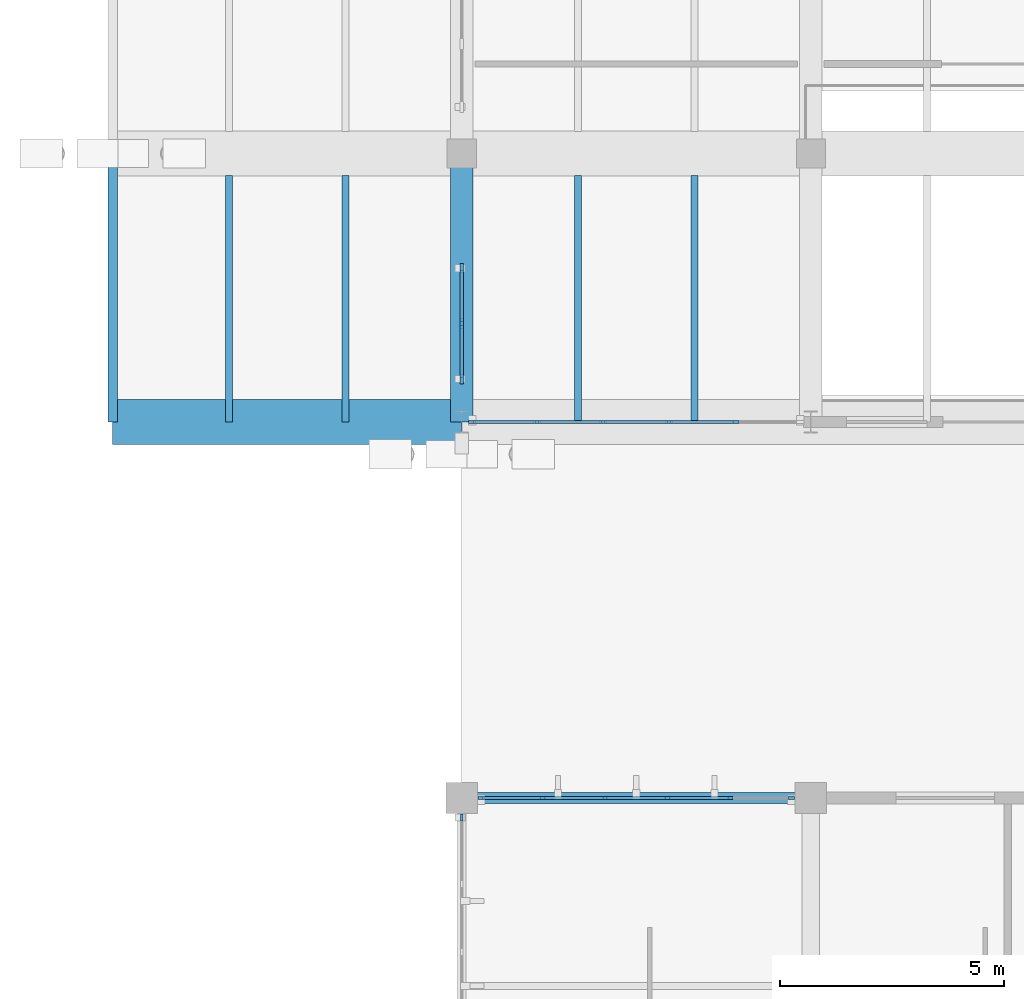
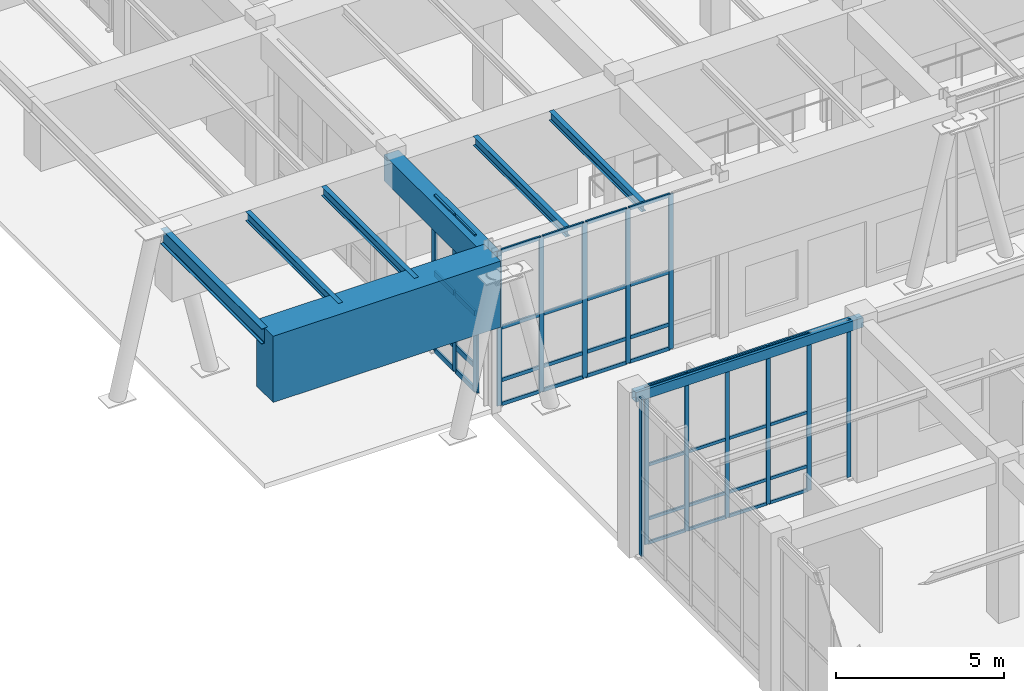
# One storey, part 19 of 110: 55 members, 8 beams, 4 elements without a shape of their own.
"""IFC4 building model written with IfcOpenShell, lengths in metres."""

from ifc_helpers import new_model, si_unit, direction, frame, origin, origin_2d, place, context, subcontext, project, spatial, rectangle, hollow_rectangle, i_section, extrude, material, material_profile, profile_set, type_object, element, aggregate, save


model = new_model("IFC4")

# Units and contexts
model_context = context("Model", 3, precision=1e-05, world=origin(), true_north=direction((0.0, 1.0)))
body_context = subcontext(model_context, "Body", "Model", "MODEL_VIEW")
ifc_project = project(units=[si_unit("LENGTHUNIT", "METRE"), si_unit("AREAUNIT", "SQUARE_METRE"), si_unit("VOLUMEUNIT", "CUBIC_METRE"), si_unit("PLANEANGLEUNIT", "RADIAN"), si_unit("MASSUNIT", "GRAM", prefix="KILO")], contexts=[model_context])

# Site, building, storey
site_placement = place(None, origin())
site = spatial("IfcSite", under=ifc_project, at=site_placement, CompositionType="ELEMENT")
building_placement = place(site_placement, origin())
building = spatial("IfcBuilding", under=site, at=building_placement, Name="Tizgana Railside Sports Hall", CompositionType="ELEMENT")
storey_placement = place(building_placement, origin())
storey = spatial("IfcBuildingStorey", under=building, at=storey_placement, Name="L00", CompositionType="ELEMENT", Elevation=0.0)

# Beam
ifc_material_1 = material(Name="Concrete C40/50", Category="concrete")
ifc_material_profile_1 = material_profile(ifc_material_1, rectangle(XDim=0.5, YDim=0.949951171875, at=origin_2d()), Name="RCB 500x950")
ifc_profile_set_1 = profile_set([ifc_material_profile_1], Name="Concrete C40/50")
beam_type_1 = type_object("IfcBeamType", Name="Concrete Beam RCB 500x950", PredefinedType="BEAM", material=ifc_profile_set_1)
beam_1_placement = place(storey_placement, frame((7.800048828125, 40.800048828125, 5.180908203125), z_axis=(0.0, 1.0, 0.0), x_axis=(-1.0, 0.0, 0.0)))
element("IfcBeam", 1, at=beam_1_placement, inside=storey, type_object=beam_type_1, Name="L00 BEM-0138", PredefinedType="BEAM", context=body_context, shape_type="SweptSolid", body=[
    extrude(rectangle(XDim=0.5, YDim=0.949951171875, at=origin_2d()), origin(), (0.0, 0.0, 1.0), 6.0),
])

# Curtain wall, members
ifc_material_2 = material(Name="Anodised aluminium and glass", Category="aluminium")
curtain_wall_type_1 = type_object("IfcCurtainWallType", Name="Unitised Curtain Wall WestHall 1560", PredefinedType="NOTDEFINED", material=ifc_material_2)
curtain_wall_1_placement = place(storey_placement, origin())
curtain_wall_1 = element("IfcCurtainWall", 2, at=curtain_wall_1_placement, inside=storey, type_object=curtain_wall_type_1, Name="L00 Curtain Wall CW-0078", PredefinedType="NOTDEFINED")
ifc_material_3 = material(Name="Anodised aluminium", Category="aluminium")
ifc_material_profile_2 = material_profile(ifc_material_3, rectangle(XDim=0.06005859375, YDim=0.139892578125, at=origin_2d()), Name="Mullion 60x140")
ifc_profile_set_2 = profile_set([ifc_material_profile_2], Name="Anodised aluminium")
member_type_1 = type_object("IfcMemberType", Name="Mullion 60x140", PredefinedType="MULLION", material=ifc_profile_set_2)
member_1_placement = place(storey_placement, frame((8.235107421875, 32.39990234375, 0.044921875), z_axis=(0.0, 0.0, 1.0), x_axis=(0.0, 1.0, 0.0)))
member_1 = element("IfcMember", 3, at=member_1_placement, type_object=member_type_1, Name="CW-07 mullion 1", PredefinedType="MULLION", context=body_context, shape_type="SweptSolid", body=[
    extrude(rectangle(XDim=0.06005859375, YDim=0.139892578125, at=origin_2d()), origin(), (0.0, 0.0, 1.0), 5.705078125),
])
member_2_placement = place(storey_placement, frame((9.60302734375, 32.39990234375, 0.044921875), z_axis=(0.0, 0.0, 1.0), x_axis=(0.0, 1.0, 0.0)))
member_2 = element("IfcMember", 4, at=member_2_placement, type_object=member_type_1, Name="CW-07 mullion 2", PredefinedType="MULLION", context=body_context, shape_type="SweptSolid", body=[
    extrude(rectangle(XDim=0.06005859375, YDim=0.139892578125, at=origin_2d()), origin(), (0.0, 0.0, 1.0), 5.705078125),
])
member_3_placement = place(storey_placement, frame((11.0009765625, 32.39990234375, 0.044921875), z_axis=(0.0, 0.0, 1.0), x_axis=(0.0, 1.0, 0.0)))
member_3 = element("IfcMember", 5, at=member_3_placement, type_object=member_type_1, Name="CW-07 mullion 3", PredefinedType="MULLION", context=body_context, shape_type="SweptSolid", body=[
    extrude(rectangle(XDim=0.06005859375, YDim=0.139892578125, at=origin_2d()), origin(), (0.0, 0.0, 1.0), 5.705078125),
])
member_4_placement = place(storey_placement, frame((12.39892578125, 32.39990234375, 0.044921875), z_axis=(0.0, 0.0, 1.0), x_axis=(0.0, 1.0, 0.0)))
member_4 = element("IfcMember", 6, at=member_4_placement, type_object=member_type_1, Name="CW-07 mullion 4", PredefinedType="MULLION", context=body_context, shape_type="SweptSolid", body=[
    extrude(rectangle(XDim=0.06005859375, YDim=0.139892578125, at=origin_2d()), origin(), (0.0, 0.0, 1.0), 5.705078125),
])
member_5_placement = place(storey_placement, frame((13.797119140625, 32.39990234375, 0.044921875), z_axis=(0.0, 0.0, 1.0), x_axis=(0.0, 1.0, 0.0)))
member_5 = element("IfcMember", 7, at=member_5_placement, type_object=member_type_1, Name="CW-07 mullion 5", PredefinedType="MULLION", context=body_context, shape_type="SweptSolid", body=[
    extrude(rectangle(XDim=0.06005859375, YDim=0.139892578125, at=origin_2d()), origin(), (0.0, 0.0, 1.0), 5.705078125),
])
member_6_placement = place(storey_placement, frame((15.1650390625, 32.39990234375, 0.044921875), z_axis=(0.0, 0.0, 1.0), x_axis=(0.0, 1.0, 0.0)))
member_6 = element("IfcMember", 8, at=member_6_placement, type_object=member_type_1, Name="CW-07 mullion 6", PredefinedType="MULLION", context=body_context, shape_type="SweptSolid", body=[
    extrude(rectangle(XDim=0.06005859375, YDim=0.139892578125, at=origin_2d()), origin(), (0.0, 0.0, 1.0), 5.705078125),
])

curtain_wall_type_2 = type_object("IfcCurtainWallType", Name="Unitised Curtain Wall Foyer 1300", PredefinedType="NOTDEFINED", material=ifc_material_2)
curtain_wall_2_placement = place(storey_placement, origin())
curtain_wall_2 = element("IfcCurtainWall", 9, at=curtain_wall_2_placement, inside=storey, type_object=curtain_wall_type_2, Name="L00 Curtain Wall CW-0001", PredefinedType="NOTDEFINED")
ifc_material_profile_3 = material_profile(ifc_material_3, rectangle(XDim=0.06005859375, YDim=0.159912109375, at=origin_2d()), Name="Mullion 60x160")
ifc_profile_set_3 = profile_set([ifc_material_profile_3], Name="Anodised aluminium")
member_type_2 = type_object("IfcMemberType", Name="Mullion 60x160", PredefinedType="MULLION", material=ifc_profile_set_3)
member_7_placement = place(storey_placement, frame((13.9169921875, 40.800048828125, 0.044921875), z_axis=(0.0, 0.0, 1.0), x_axis=(0.0, -1.0, 0.0)))
member_7 = element("IfcMember", 10, at=member_7_placement, type_object=member_type_2, Name="CW-02 mullion 2", PredefinedType="MULLION", context=body_context, shape_type="SweptSolid", body=[
    extrude(rectangle(XDim=0.06005859375, YDim=0.159912109375, at=origin_2d()), origin(), (0.0, 0.0, 1.0), 5.60498046875),
])
member_8_placement = place(storey_placement, frame((12.43896484375, 40.800048828125, 0.044921875), z_axis=(0.0, 0.0, 1.0), x_axis=(0.0, -1.0, 0.0)))
member_8 = element("IfcMember", 11, at=member_8_placement, type_object=member_type_2, Name="CW-02 mullion 3", PredefinedType="MULLION", context=body_context, shape_type="SweptSolid", body=[
    extrude(rectangle(XDim=0.06005859375, YDim=0.159912109375, at=origin_2d()), origin(), (0.0, 0.0, 1.0), 5.60498046875),
])
member_9_placement = place(storey_placement, frame((10.9609375, 40.800048828125, 0.044921875), z_axis=(0.0, 0.0, 1.0), x_axis=(0.0, -1.0, 0.0)))
member_9 = element("IfcMember", 12, at=member_9_placement, type_object=member_type_2, Name="CW-02 mullion 4", PredefinedType="MULLION", context=body_context, shape_type="SweptSolid", body=[
    extrude(rectangle(XDim=0.06005859375, YDim=0.159912109375, at=origin_2d()), origin(), (0.0, 0.0, 1.0), 5.60498046875),
])
member_10_placement = place(storey_placement, frame((9.48291015625, 40.800048828125, 0.044921875), z_axis=(0.0, 0.0, 1.0), x_axis=(0.0, -1.0, 0.0)))
member_10 = element("IfcMember", 13, at=member_10_placement, type_object=member_type_2, Name="CW-02 mullion 5", PredefinedType="MULLION", context=body_context, shape_type="SweptSolid", body=[
    extrude(rectangle(XDim=0.06005859375, YDim=0.159912109375, at=origin_2d()), origin(), (0.0, 0.0, 1.0), 5.60498046875),
])
member_11_placement = place(storey_placement, frame((8.034912109375, 40.800048828125, 0.044921875), z_axis=(0.0, 0.0, 1.0), x_axis=(0.0, -1.0, 0.0)))
member_11 = element("IfcMember", 14, at=member_11_placement, type_object=member_type_2, Name="CW-02 mullion 6", PredefinedType="MULLION", context=body_context, shape_type="SweptSolid", body=[
    extrude(rectangle(XDim=0.06005859375, YDim=0.159912109375, at=origin_2d()), origin(), (0.0, 0.0, 1.0), 5.60498046875),
])

# Curtain wall, member
curtain_wall_type_3 = type_object("IfcCurtainWallType", Name="Unitised Curtain Wall Passage 1800", PredefinedType="NOTDEFINED", material=ifc_material_2)
curtain_wall_3_placement = place(storey_placement, origin())
curtain_wall_3 = element("IfcCurtainWall", 15, at=curtain_wall_3_placement, inside=storey, type_object=curtain_wall_type_3, Name="L00 Curtain Wall CW-0085", PredefinedType="NOTDEFINED")
member_12_placement = place(storey_placement, frame((7.800048828125, 31.965087890625, 0.044921875), z_axis=(0.0, 0.0, 1.0), x_axis=(1.0, 0.0, 0.0)))
member_12 = element("IfcMember", 16, at=member_12_placement, type_object=member_type_2, Name="CW-06 mullion 1", PredefinedType="MULLION", context=body_context, shape_type="SweptSolid", body=[
    extrude(rectangle(XDim=0.06005859375, YDim=0.159912109375, at=origin_2d()), origin(), (0.0, 0.0, 1.0), 5.705078125),
])
aggregate(curtain_wall_3, [member_12])

# Curtain wall, members
curtain_wall_type_4 = type_object("IfcCurtainWallType", Name="Unitised Curtain Wall Clinic 1200", PredefinedType="NOTDEFINED", material=ifc_material_2)
curtain_wall_4_placement = place(storey_placement, origin())
curtain_wall_4 = element("IfcCurtainWall", 17, at=curtain_wall_4_placement, inside=storey, type_object=curtain_wall_type_4, Name="L00 Curtain Wall CW-0004", PredefinedType="NOTDEFINED")
ifc_material_profile_4 = material_profile(ifc_material_3, rectangle(XDim=0.070068359375, YDim=0.219970703125, at=origin_2d()), Name="Mullion 70x220")
ifc_profile_set_4 = profile_set([ifc_material_profile_4], Name="Anodised aluminium")
member_type_3 = type_object("IfcMemberType", Name="Mullion 70x220", PredefinedType="MULLION", material=ifc_profile_set_4)
member_13_placement = place(storey_placement, frame((7.800048828125, 44.235107421875, 0.044921875), z_axis=(0.0, 0.0, 1.0), x_axis=(1.0, 0.0, 0.0)))
member_13 = element("IfcMember", 18, at=member_13_placement, type_object=member_type_3, Name="CW-05 mullion 1", PredefinedType="MULLION", context=body_context, shape_type="SweptSolid", body=[
    extrude(rectangle(XDim=0.070068359375, YDim=0.219970703125, at=origin_2d()), origin(), (0.0, 0.0, 1.0), 5.60498046875),
])
member_14_placement = place(storey_placement, frame((7.800048828125, 43.0, 0.044921875), z_axis=(0.0, 0.0, 1.0), x_axis=(1.0, 0.0, 0.0)))
member_14 = element("IfcMember", 19, at=member_14_placement, type_object=member_type_3, Name="CW-05 mullion 2", PredefinedType="MULLION", context=body_context, shape_type="SweptSolid", body=[
    extrude(rectangle(XDim=0.070068359375, YDim=0.219970703125, at=origin_2d()), origin(), (0.0, 0.0, 1.0), 5.60498046875),
])
member_15_placement = place(storey_placement, frame((7.800048828125, 41.764892578125, 0.044921875), z_axis=(0.0, 0.0, 1.0), x_axis=(1.0, 0.0, 0.0)))
member_15 = element("IfcMember", 20, at=member_15_placement, type_object=member_type_3, Name="CW-05 mullion 3", PredefinedType="MULLION", context=body_context, shape_type="SweptSolid", body=[
    extrude(rectangle(XDim=0.070068359375, YDim=0.219970703125, at=origin_2d()), origin(), (0.0, 0.0, 1.0), 5.60498046875),
])

# Beams
ifc_material_profile_5 = material_profile(ifc_material_1, rectangle(XDim=1.0, YDim=2.39990234375, at=origin_2d()), Name="PTG 1000x2400")
ifc_profile_set_5 = profile_set([ifc_material_profile_5], Name="Concrete C40/50")
beam_type_2 = type_object("IfcBeamType", Name="Post-Tensioned Girder PTG 1000x2400", PredefinedType="BEAM", material=ifc_profile_set_5)
beam_2_placement = place(storey_placement, frame((0.0, 40.800048828125, 4.4560546875), z_axis=(1.0, 0.0, 0.0), x_axis=(0.0, 1.0, 0.0)))
element("IfcBeam", 21, at=beam_2_placement, inside=storey, type_object=beam_type_2, Name="L00 PTG-0001", PredefinedType="BEAM", context=body_context, shape_type="SweptSolid", body=[
    extrude(rectangle(XDim=1.0, YDim=2.39990234375, at=origin_2d()), origin(), (0.0, 0.0, 1.0), 7.800048828125),
])
ifc_material_4 = material(Name="Steel S355J2", Category="steel")
ifc_material_profile_6 = material_profile(ifc_material_4, i_section(OverallWidth=0.2099609375, OverallDepth=0.550048828125, WebThickness=0.010986328125, FlangeThickness=0.01708984375, FilletRadius=0.02392578125, at=origin_2d()), Name="IPE 550")
ifc_profile_set_6 = profile_set([ifc_material_profile_6], Name="Steel S355J2")
beam_type_3 = type_object("IfcBeamType", Name="Steel Beam IPE 550", PredefinedType="BEAM", material=ifc_profile_set_6)
beam_3_placement = place(storey_placement, frame((0.0, 40.800048828125, 5.381103515625), z_axis=(0.0, 1.0, 0.0), x_axis=(-1.0, 0.0, 0.0)))
element("IfcBeam", 22, at=beam_3_placement, inside=storey, type_object=beam_type_3, Name="L00 BEM-0133", PredefinedType="BEAM", context=body_context, shape_type="SweptSolid", body=[
    extrude(i_section(OverallWidth=0.2099609375, OverallDepth=0.550048828125, WebThickness=0.010986328125, FlangeThickness=0.01708984375, FilletRadius=0.02392578125, at=origin_2d()), origin(), (0.0, 0.0, 1.0), 6.0),
])
ifc_material_profile_7 = material_profile(ifc_material_4, i_section(OverallWidth=0.159912109375, OverallDepth=0.330078125, WebThickness=0.007568359375, FlangeThickness=0.011474609375, FilletRadius=0.01806640625, at=origin_2d()), Name="IPE 330")
ifc_profile_set_7 = profile_set([ifc_material_profile_7], Name="Steel S355J2")
beam_type_4 = type_object("IfcBeamType", Name="Steel Joist IPE 330", PredefinedType="JOIST", material=ifc_profile_set_7)
for number, where, z_axis, x_axis, name in (
    (23, (2.60009765625, 40.800048828125, 5.490966796875), (0.0, 1.0, 0.0), (-1.0, 0.0, 0.0), "L00 BEM-0178"),
    (24, (5.199951171875, 40.800048828125, 5.490966796875), (0.0, 1.0, 0.0), (-1.0, 0.0, 0.0), "L00 BEM-0183"),
    (25, (10.39990234375, 40.800048828125, 5.490966796875), (0.0, 1.0, 0.0), (-1.0, 0.0, 0.0), "L00 BEM-0188"),
    (26, (13.0, 40.800048828125, 5.490966796875), (0.0, 1.0, 0.0), (-1.0, 0.0, 0.0), "L00 BEM-0193"),
):
    element("IfcBeam", number, at=place(storey_placement, frame(where, z_axis=z_axis, x_axis=x_axis)), inside=storey, type_object=beam_type_4, Name=name, PredefinedType="JOIST", context=body_context, shape_type="SweptSolid", body=[
        extrude(i_section(OverallWidth=0.159912109375, OverallDepth=0.330078125, WebThickness=0.007568359375, FlangeThickness=0.011474609375, FilletRadius=0.01806640625, at=origin_2d()), origin(), (0.0, 0.0, 1.0), 5.5048828125),
    ])
ifc_material_profile_8 = material_profile(ifc_material_4, hollow_rectangle(XDim=0.25, YDim=0.35009765625, WallThickness=0.011962890625, at=origin_2d()), Name="RHS 350x250x12")
ifc_profile_set_8 = profile_set([ifc_material_profile_8], Name="Steel S355J2")
beam_type_5 = type_object("IfcBeamType", Name="Steel Spandrel RHS 350x250x12", PredefinedType="SPANDREL", material=ifc_profile_set_8)
beam_4_placement = place(storey_placement, frame((7.800048828125, 32.39990234375, 5.571044921875), z_axis=(1.0, 0.0, 0.0), x_axis=(0.0, 1.0, 0.0)))
element("IfcBeam", 27, at=beam_4_placement, inside=storey, type_object=beam_type_5, Name="L00 BEM-0381", PredefinedType="SPANDREL", context=body_context, shape_type="SweptSolid", body=[
    extrude(hollow_rectangle(XDim=0.25, YDim=0.35009765625, WallThickness=0.011962890625, at=origin_2d()), origin(), (0.0, 0.0, 1.0), 7.800048828125),
])

# Member
ifc_material_profile_9 = material_profile(ifc_material_3, rectangle(XDim=0.06005859375, YDim=0.110107421875, at=origin_2d()), Name="Transom 60x110")
ifc_profile_set_9 = profile_set([ifc_material_profile_9], Name="Anodised aluminium")
member_type_4 = type_object("IfcMemberType", Name="Transom 60x110", PredefinedType="USERDEFINED", material=ifc_profile_set_9)
member_16_placement = place(storey_placement, frame((8.264892578125, 32.39990234375, 0.074951171875), z_axis=(1.0, 0.0, 0.0), x_axis=(0.0, 1.0, 0.0)))
member_16 = element("IfcMember", 28, at=member_16_placement, type_object=member_type_4, Name="CW-07 transom 1.1", ObjectType="TRANSOM", PredefinedType="USERDEFINED", context=body_context, shape_type="SweptSolid", body=[
    extrude(rectangle(XDim=0.06005859375, YDim=0.110107421875, at=origin_2d()), origin(), (0.0, 0.0, 1.0), 1.30810546875),
])

member_17_placement = place(storey_placement, frame((8.264892578125, 32.39990234375, 0.945068359375), z_axis=(1.0, 0.0, 0.0), x_axis=(0.0, 1.0, 0.0)))
member_17 = element("IfcMember", 29, at=member_17_placement, type_object=member_type_4, Name="CW-07 transom 1.2", ObjectType="TRANSOM", PredefinedType="USERDEFINED", context=body_context, shape_type="SweptSolid", body=[
    extrude(rectangle(XDim=0.06005859375, YDim=0.110107421875, at=origin_2d()), origin(), (0.0, 0.0, 1.0), 1.30810546875),
])

member_18_placement = place(storey_placement, frame((8.264892578125, 32.39990234375, 2.8974609375), z_axis=(1.0, 0.0, 0.0), x_axis=(0.0, 1.0, 0.0)))
member_18 = element("IfcMember", 30, at=member_18_placement, type_object=member_type_4, Name="CW-07 transom 1.3", ObjectType="TRANSOM", PredefinedType="USERDEFINED", context=body_context, shape_type="SweptSolid", body=[
    extrude(rectangle(XDim=0.06005859375, YDim=0.110107421875, at=origin_2d()), origin(), (0.0, 0.0, 1.0), 1.30810546875),
])

member_19_placement = place(storey_placement, frame((8.264892578125, 32.39990234375, 5.719970703125), z_axis=(1.0, 0.0, 0.0), x_axis=(0.0, 1.0, 0.0)))
member_19 = element("IfcMember", 31, at=member_19_placement, type_object=member_type_4, Name="CW-07 transom 1.4", ObjectType="TRANSOM", PredefinedType="USERDEFINED", context=body_context, shape_type="SweptSolid", body=[
    extrude(rectangle(XDim=0.06005859375, YDim=0.110107421875, at=origin_2d()), origin(), (0.0, 0.0, 1.0), 1.30810546875),
])

member_20_placement = place(storey_placement, frame((9.633056640625, 32.39990234375, 0.074951171875), z_axis=(1.0, 0.0, 0.0), x_axis=(0.0, 1.0, 0.0)))
member_20 = element("IfcMember", 32, at=member_20_placement, type_object=member_type_4, Name="CW-07 transom 2.1", ObjectType="TRANSOM", PredefinedType="USERDEFINED", context=body_context, shape_type="SweptSolid", body=[
    extrude(rectangle(XDim=0.06005859375, YDim=0.110107421875, at=origin_2d()), origin(), (0.0, 0.0, 1.0), 1.337890625),
])

member_21_placement = place(storey_placement, frame((9.633056640625, 32.39990234375, 0.945068359375), z_axis=(1.0, 0.0, 0.0), x_axis=(0.0, 1.0, 0.0)))
member_21 = element("IfcMember", 33, at=member_21_placement, type_object=member_type_4, Name="CW-07 transom 2.2", ObjectType="TRANSOM", PredefinedType="USERDEFINED", context=body_context, shape_type="SweptSolid", body=[
    extrude(rectangle(XDim=0.06005859375, YDim=0.110107421875, at=origin_2d()), origin(), (0.0, 0.0, 1.0), 1.337890625),
])

member_22_placement = place(storey_placement, frame((9.633056640625, 32.39990234375, 2.8974609375), z_axis=(1.0, 0.0, 0.0), x_axis=(0.0, 1.0, 0.0)))
member_22 = element("IfcMember", 34, at=member_22_placement, type_object=member_type_4, Name="CW-07 transom 2.3", ObjectType="TRANSOM", PredefinedType="USERDEFINED", context=body_context, shape_type="SweptSolid", body=[
    extrude(rectangle(XDim=0.06005859375, YDim=0.110107421875, at=origin_2d()), origin(), (0.0, 0.0, 1.0), 1.337890625),
])

member_23_placement = place(storey_placement, frame((9.633056640625, 32.39990234375, 5.719970703125), z_axis=(1.0, 0.0, 0.0), x_axis=(0.0, 1.0, 0.0)))
member_23 = element("IfcMember", 35, at=member_23_placement, type_object=member_type_4, Name="CW-07 transom 2.4", ObjectType="TRANSOM", PredefinedType="USERDEFINED", context=body_context, shape_type="SweptSolid", body=[
    extrude(rectangle(XDim=0.06005859375, YDim=0.110107421875, at=origin_2d()), origin(), (0.0, 0.0, 1.0), 1.337890625),
])

member_24_placement = place(storey_placement, frame((11.031005859375, 32.39990234375, 0.074951171875), z_axis=(1.0, 0.0, 0.0), x_axis=(0.0, 1.0, 0.0)))
member_24 = element("IfcMember", 36, at=member_24_placement, type_object=member_type_4, Name="CW-07 transom 3.1", ObjectType="TRANSOM", PredefinedType="USERDEFINED", context=body_context, shape_type="SweptSolid", body=[
    extrude(rectangle(XDim=0.06005859375, YDim=0.110107421875, at=origin_2d()), origin(), (0.0, 0.0, 1.0), 1.337890625),
])

member_25_placement = place(storey_placement, frame((11.031005859375, 32.39990234375, 0.945068359375), z_axis=(1.0, 0.0, 0.0), x_axis=(0.0, 1.0, 0.0)))
member_25 = element("IfcMember", 37, at=member_25_placement, type_object=member_type_4, Name="CW-07 transom 3.2", ObjectType="TRANSOM", PredefinedType="USERDEFINED", context=body_context, shape_type="SweptSolid", body=[
    extrude(rectangle(XDim=0.06005859375, YDim=0.110107421875, at=origin_2d()), origin(), (0.0, 0.0, 1.0), 1.337890625),
])

member_26_placement = place(storey_placement, frame((11.031005859375, 32.39990234375, 2.8974609375), z_axis=(1.0, 0.0, 0.0), x_axis=(0.0, 1.0, 0.0)))
member_26 = element("IfcMember", 38, at=member_26_placement, type_object=member_type_4, Name="CW-07 transom 3.3", ObjectType="TRANSOM", PredefinedType="USERDEFINED", context=body_context, shape_type="SweptSolid", body=[
    extrude(rectangle(XDim=0.06005859375, YDim=0.110107421875, at=origin_2d()), origin(), (0.0, 0.0, 1.0), 1.337890625),
])

member_27_placement = place(storey_placement, frame((11.031005859375, 32.39990234375, 5.719970703125), z_axis=(1.0, 0.0, 0.0), x_axis=(0.0, 1.0, 0.0)))
member_27 = element("IfcMember", 39, at=member_27_placement, type_object=member_type_4, Name="CW-07 transom 3.4", ObjectType="TRANSOM", PredefinedType="USERDEFINED", context=body_context, shape_type="SweptSolid", body=[
    extrude(rectangle(XDim=0.06005859375, YDim=0.110107421875, at=origin_2d()), origin(), (0.0, 0.0, 1.0), 1.337890625),
])

member_28_placement = place(storey_placement, frame((12.428955078125, 32.39990234375, 0.074951171875), z_axis=(1.0, 0.0, 0.0), x_axis=(0.0, 1.0, 0.0)))
member_28 = element("IfcMember", 40, at=member_28_placement, type_object=member_type_4, Name="CW-07 transom 4.1", ObjectType="TRANSOM", PredefinedType="USERDEFINED", context=body_context, shape_type="SweptSolid", body=[
    extrude(rectangle(XDim=0.06005859375, YDim=0.110107421875, at=origin_2d()), origin(), (0.0, 0.0, 1.0), 1.338134765625),
])

member_29_placement = place(storey_placement, frame((12.428955078125, 32.39990234375, 0.945068359375), z_axis=(1.0, 0.0, 0.0), x_axis=(0.0, 1.0, 0.0)))
member_29 = element("IfcMember", 41, at=member_29_placement, type_object=member_type_4, Name="CW-07 transom 4.2", ObjectType="TRANSOM", PredefinedType="USERDEFINED", context=body_context, shape_type="SweptSolid", body=[
    extrude(rectangle(XDim=0.06005859375, YDim=0.110107421875, at=origin_2d()), origin(), (0.0, 0.0, 1.0), 1.338134765625),
])

member_30_placement = place(storey_placement, frame((12.428955078125, 32.39990234375, 2.8974609375), z_axis=(1.0, 0.0, 0.0), x_axis=(0.0, 1.0, 0.0)))
member_30 = element("IfcMember", 42, at=member_30_placement, type_object=member_type_4, Name="CW-07 transom 4.3", ObjectType="TRANSOM", PredefinedType="USERDEFINED", context=body_context, shape_type="SweptSolid", body=[
    extrude(rectangle(XDim=0.06005859375, YDim=0.110107421875, at=origin_2d()), origin(), (0.0, 0.0, 1.0), 1.338134765625),
])

member_31_placement = place(storey_placement, frame((12.428955078125, 32.39990234375, 5.719970703125), z_axis=(1.0, 0.0, 0.0), x_axis=(0.0, 1.0, 0.0)))
member_31 = element("IfcMember", 43, at=member_31_placement, type_object=member_type_4, Name="CW-07 transom 4.4", ObjectType="TRANSOM", PredefinedType="USERDEFINED", context=body_context, shape_type="SweptSolid", body=[
    extrude(rectangle(XDim=0.06005859375, YDim=0.110107421875, at=origin_2d()), origin(), (0.0, 0.0, 1.0), 1.338134765625),
])

aggregate(curtain_wall_1, [member_1, member_2, member_3, member_4, member_5, member_6, member_16, member_17, member_18, member_19, member_20, member_21, member_22, member_23, member_24, member_25, member_26, member_27, member_28, member_29, member_30, member_31])

ifc_material_profile_10 = material_profile(ifc_material_3, rectangle(XDim=0.06005859375, YDim=0.1298828125, at=origin_2d()), Name="Transom 60x130")
ifc_profile_set_10 = profile_set([ifc_material_profile_10], Name="Anodised aluminium")
member_type_5 = type_object("IfcMemberType", Name="Transom 60x130", PredefinedType="USERDEFINED", material=ifc_profile_set_10)
member_32_placement = place(storey_placement, frame((13.886962890625, 40.800048828125, 0.074951171875), z_axis=(-1.0, 0.0, 0.0), x_axis=(0.0, -1.0, 0.0)))
member_32 = element("IfcMember", 44, at=member_32_placement, type_object=member_type_5, Name="CW-02 transom 2.1", ObjectType="TRANSOM", PredefinedType="USERDEFINED", context=body_context, shape_type="SweptSolid", body=[
    extrude(rectangle(XDim=0.06005859375, YDim=0.1298828125, at=origin_2d()), origin(), (0.0, 0.0, 1.0), 1.41796875),
])

member_33_placement = place(storey_placement, frame((13.886962890625, 40.800048828125, 0.945068359375), z_axis=(-1.0, 0.0, 0.0), x_axis=(0.0, -1.0, 0.0)))
member_33 = element("IfcMember", 45, at=member_33_placement, type_object=member_type_5, Name="CW-02 transom 2.2", ObjectType="TRANSOM", PredefinedType="USERDEFINED", context=body_context, shape_type="SweptSolid", body=[
    extrude(rectangle(XDim=0.06005859375, YDim=0.1298828125, at=origin_2d()), origin(), (0.0, 0.0, 1.0), 1.41796875),
])

member_34_placement = place(storey_placement, frame((13.886962890625, 40.800048828125, 2.847412109375), z_axis=(-1.0, 0.0, 0.0), x_axis=(0.0, -1.0, 0.0)))
member_34 = element("IfcMember", 46, at=member_34_placement, type_object=member_type_5, Name="CW-02 transom 2.3", ObjectType="TRANSOM", PredefinedType="USERDEFINED", context=body_context, shape_type="SweptSolid", body=[
    extrude(rectangle(XDim=0.06005859375, YDim=0.1298828125, at=origin_2d()), origin(), (0.0, 0.0, 1.0), 1.41796875),
])

member_35_placement = place(storey_placement, frame((13.886962890625, 40.800048828125, 5.6201171875), z_axis=(-1.0, 0.0, 0.0), x_axis=(0.0, -1.0, 0.0)))
member_35 = element("IfcMember", 47, at=member_35_placement, type_object=member_type_5, Name="CW-02 transom 2.4", ObjectType="TRANSOM", PredefinedType="USERDEFINED", context=body_context, shape_type="SweptSolid", body=[
    extrude(rectangle(XDim=0.06005859375, YDim=0.1298828125, at=origin_2d()), origin(), (0.0, 0.0, 1.0), 1.41796875),
])

member_36_placement = place(storey_placement, frame((12.408935546875, 40.800048828125, 0.074951171875), z_axis=(-1.0, 0.0, 0.0), x_axis=(0.0, -1.0, 0.0)))
member_36 = element("IfcMember", 48, at=member_36_placement, type_object=member_type_5, Name="CW-02 transom 3.1", ObjectType="TRANSOM", PredefinedType="USERDEFINED", context=body_context, shape_type="SweptSolid", body=[
    extrude(rectangle(XDim=0.06005859375, YDim=0.1298828125, at=origin_2d()), origin(), (0.0, 0.0, 1.0), 1.41796875),
])

member_37_placement = place(storey_placement, frame((12.408935546875, 40.800048828125, 0.945068359375), z_axis=(-1.0, 0.0, 0.0), x_axis=(0.0, -1.0, 0.0)))
member_37 = element("IfcMember", 49, at=member_37_placement, type_object=member_type_5, Name="CW-02 transom 3.2", ObjectType="TRANSOM", PredefinedType="USERDEFINED", context=body_context, shape_type="SweptSolid", body=[
    extrude(rectangle(XDim=0.06005859375, YDim=0.1298828125, at=origin_2d()), origin(), (0.0, 0.0, 1.0), 1.41796875),
])

member_38_placement = place(storey_placement, frame((12.408935546875, 40.800048828125, 2.847412109375), z_axis=(-1.0, 0.0, 0.0), x_axis=(0.0, -1.0, 0.0)))
member_38 = element("IfcMember", 50, at=member_38_placement, type_object=member_type_5, Name="CW-02 transom 3.3", ObjectType="TRANSOM", PredefinedType="USERDEFINED", context=body_context, shape_type="SweptSolid", body=[
    extrude(rectangle(XDim=0.06005859375, YDim=0.1298828125, at=origin_2d()), origin(), (0.0, 0.0, 1.0), 1.41796875),
])

member_39_placement = place(storey_placement, frame((12.408935546875, 40.800048828125, 5.6201171875), z_axis=(-1.0, 0.0, 0.0), x_axis=(0.0, -1.0, 0.0)))
member_39 = element("IfcMember", 51, at=member_39_placement, type_object=member_type_5, Name="CW-02 transom 3.4", ObjectType="TRANSOM", PredefinedType="USERDEFINED", context=body_context, shape_type="SweptSolid", body=[
    extrude(rectangle(XDim=0.06005859375, YDim=0.1298828125, at=origin_2d()), origin(), (0.0, 0.0, 1.0), 1.41796875),
])

member_40_placement = place(storey_placement, frame((10.930908203125, 40.800048828125, 0.074951171875), z_axis=(-1.0, 0.0, 0.0), x_axis=(0.0, -1.0, 0.0)))
member_40 = element("IfcMember", 52, at=member_40_placement, type_object=member_type_5, Name="CW-02 transom 4.1", ObjectType="TRANSOM", PredefinedType="USERDEFINED", context=body_context, shape_type="SweptSolid", body=[
    extrude(rectangle(XDim=0.06005859375, YDim=0.1298828125, at=origin_2d()), origin(), (0.0, 0.0, 1.0), 1.41796875),
])

member_41_placement = place(storey_placement, frame((10.930908203125, 40.800048828125, 0.945068359375), z_axis=(-1.0, 0.0, 0.0), x_axis=(0.0, -1.0, 0.0)))
member_41 = element("IfcMember", 53, at=member_41_placement, type_object=member_type_5, Name="CW-02 transom 4.2", ObjectType="TRANSOM", PredefinedType="USERDEFINED", context=body_context, shape_type="SweptSolid", body=[
    extrude(rectangle(XDim=0.06005859375, YDim=0.1298828125, at=origin_2d()), origin(), (0.0, 0.0, 1.0), 1.41796875),
])

member_42_placement = place(storey_placement, frame((10.930908203125, 40.800048828125, 2.847412109375), z_axis=(-1.0, 0.0, 0.0), x_axis=(0.0, -1.0, 0.0)))
member_42 = element("IfcMember", 54, at=member_42_placement, type_object=member_type_5, Name="CW-02 transom 4.3", ObjectType="TRANSOM", PredefinedType="USERDEFINED", context=body_context, shape_type="SweptSolid", body=[
    extrude(rectangle(XDim=0.06005859375, YDim=0.1298828125, at=origin_2d()), origin(), (0.0, 0.0, 1.0), 1.41796875),
])

member_43_placement = place(storey_placement, frame((10.930908203125, 40.800048828125, 5.6201171875), z_axis=(-1.0, 0.0, 0.0), x_axis=(0.0, -1.0, 0.0)))
member_43 = element("IfcMember", 55, at=member_43_placement, type_object=member_type_5, Name="CW-02 transom 4.4", ObjectType="TRANSOM", PredefinedType="USERDEFINED", context=body_context, shape_type="SweptSolid", body=[
    extrude(rectangle(XDim=0.06005859375, YDim=0.1298828125, at=origin_2d()), origin(), (0.0, 0.0, 1.0), 1.41796875),
])

member_44_placement = place(storey_placement, frame((9.452880859375, 40.800048828125, 0.074951171875), z_axis=(-1.0, 0.0, 0.0), x_axis=(0.0, -1.0, 0.0)))
member_44 = element("IfcMember", 56, at=member_44_placement, type_object=member_type_5, Name="CW-02 transom 5.1", ObjectType="TRANSOM", PredefinedType="USERDEFINED", context=body_context, shape_type="SweptSolid", body=[
    extrude(rectangle(XDim=0.06005859375, YDim=0.1298828125, at=origin_2d()), origin(), (0.0, 0.0, 1.0), 1.387939453125),
])

member_45_placement = place(storey_placement, frame((9.452880859375, 40.800048828125, 0.945068359375), z_axis=(-1.0, 0.0, 0.0), x_axis=(0.0, -1.0, 0.0)))
member_45 = element("IfcMember", 57, at=member_45_placement, type_object=member_type_5, Name="CW-02 transom 5.2", ObjectType="TRANSOM", PredefinedType="USERDEFINED", context=body_context, shape_type="SweptSolid", body=[
    extrude(rectangle(XDim=0.06005859375, YDim=0.1298828125, at=origin_2d()), origin(), (0.0, 0.0, 1.0), 1.387939453125),
])

member_46_placement = place(storey_placement, frame((9.452880859375, 40.800048828125, 2.847412109375), z_axis=(-1.0, 0.0, 0.0), x_axis=(0.0, -1.0, 0.0)))
member_46 = element("IfcMember", 58, at=member_46_placement, type_object=member_type_5, Name="CW-02 transom 5.3", ObjectType="TRANSOM", PredefinedType="USERDEFINED", context=body_context, shape_type="SweptSolid", body=[
    extrude(rectangle(XDim=0.06005859375, YDim=0.1298828125, at=origin_2d()), origin(), (0.0, 0.0, 1.0), 1.387939453125),
])

member_47_placement = place(storey_placement, frame((9.452880859375, 40.800048828125, 5.6201171875), z_axis=(-1.0, 0.0, 0.0), x_axis=(0.0, -1.0, 0.0)))
member_47 = element("IfcMember", 59, at=member_47_placement, type_object=member_type_5, Name="CW-02 transom 5.4", ObjectType="TRANSOM", PredefinedType="USERDEFINED", context=body_context, shape_type="SweptSolid", body=[
    extrude(rectangle(XDim=0.06005859375, YDim=0.1298828125, at=origin_2d()), origin(), (0.0, 0.0, 1.0), 1.387939453125),
])

aggregate(curtain_wall_2, [member_7, member_8, member_9, member_10, member_11, member_32, member_33, member_34, member_35, member_36, member_37, member_38, member_39, member_40, member_41, member_42, member_43, member_44, member_45, member_46, member_47])

ifc_material_profile_11 = material_profile(ifc_material_3, rectangle(XDim=0.070068359375, YDim=0.18994140625, at=origin_2d()), Name="Transom 70x190")
ifc_profile_set_11 = profile_set([ifc_material_profile_11], Name="Anodised aluminium")
member_type_6 = type_object("IfcMemberType", Name="Transom 70x190", PredefinedType="USERDEFINED", material=ifc_profile_set_11)
member_48_placement = place(storey_placement, frame((7.800048828125, 44.199951171875, 0.080078125), z_axis=(0.0, -1.0, 0.0), x_axis=(1.0, 0.0, 0.0)))
member_48 = element("IfcMember", 60, at=member_48_placement, type_object=member_type_6, Name="CW-05 transom 1.1", ObjectType="TRANSOM", PredefinedType="USERDEFINED", context=body_context, shape_type="SweptSolid", body=[
    extrude(rectangle(XDim=0.070068359375, YDim=0.18994140625, at=origin_2d()), origin(), (0.0, 0.0, 1.0), 1.1650390625),
])

member_49_placement = place(storey_placement, frame((7.800048828125, 44.199951171875, 0.945068359375), z_axis=(0.0, -1.0, 0.0), x_axis=(1.0, 0.0, 0.0)))
member_49 = element("IfcMember", 61, at=member_49_placement, type_object=member_type_6, Name="CW-05 transom 1.2", ObjectType="TRANSOM", PredefinedType="USERDEFINED", context=body_context, shape_type="SweptSolid", body=[
    extrude(rectangle(XDim=0.070068359375, YDim=0.18994140625, at=origin_2d()), origin(), (0.0, 0.0, 1.0), 1.1650390625),
])

member_50_placement = place(storey_placement, frame((7.800048828125, 44.199951171875, 2.847412109375), z_axis=(0.0, -1.0, 0.0), x_axis=(1.0, 0.0, 0.0)))
member_50 = element("IfcMember", 62, at=member_50_placement, type_object=member_type_6, Name="CW-05 transom 1.3", ObjectType="TRANSOM", PredefinedType="USERDEFINED", context=body_context, shape_type="SweptSolid", body=[
    extrude(rectangle(XDim=0.070068359375, YDim=0.18994140625, at=origin_2d()), origin(), (0.0, 0.0, 1.0), 1.1650390625),
])

member_51_placement = place(storey_placement, frame((7.800048828125, 44.199951171875, 5.614990234375), z_axis=(0.0, -1.0, 0.0), x_axis=(1.0, 0.0, 0.0)))
member_51 = element("IfcMember", 63, at=member_51_placement, type_object=member_type_6, Name="CW-05 transom 1.4", ObjectType="TRANSOM", PredefinedType="USERDEFINED", context=body_context, shape_type="SweptSolid", body=[
    extrude(rectangle(XDim=0.070068359375, YDim=0.18994140625, at=origin_2d()), origin(), (0.0, 0.0, 1.0), 1.1650390625),
])

member_52_placement = place(storey_placement, frame((7.800048828125, 42.965087890625, 0.080078125), z_axis=(0.0, -1.0, 0.0), x_axis=(1.0, 0.0, 0.0)))
member_52 = element("IfcMember", 64, at=member_52_placement, type_object=member_type_6, Name="CW-05 transom 2.1", ObjectType="TRANSOM", PredefinedType="USERDEFINED", context=body_context, shape_type="SweptSolid", body=[
    extrude(rectangle(XDim=0.070068359375, YDim=0.18994140625, at=origin_2d()), origin(), (0.0, 0.0, 1.0), 1.1650390625),
])

member_53_placement = place(storey_placement, frame((7.800048828125, 42.965087890625, 0.945068359375), z_axis=(0.0, -1.0, 0.0), x_axis=(1.0, 0.0, 0.0)))
member_53 = element("IfcMember", 65, at=member_53_placement, type_object=member_type_6, Name="CW-05 transom 2.2", ObjectType="TRANSOM", PredefinedType="USERDEFINED", context=body_context, shape_type="SweptSolid", body=[
    extrude(rectangle(XDim=0.070068359375, YDim=0.18994140625, at=origin_2d()), origin(), (0.0, 0.0, 1.0), 1.1650390625),
])

member_54_placement = place(storey_placement, frame((7.800048828125, 42.965087890625, 2.847412109375), z_axis=(0.0, -1.0, 0.0), x_axis=(1.0, 0.0, 0.0)))
member_54 = element("IfcMember", 66, at=member_54_placement, type_object=member_type_6, Name="CW-05 transom 2.3", ObjectType="TRANSOM", PredefinedType="USERDEFINED", context=body_context, shape_type="SweptSolid", body=[
    extrude(rectangle(XDim=0.070068359375, YDim=0.18994140625, at=origin_2d()), origin(), (0.0, 0.0, 1.0), 1.1650390625),
])

member_55_placement = place(storey_placement, frame((7.800048828125, 42.965087890625, 5.614990234375), z_axis=(0.0, -1.0, 0.0), x_axis=(1.0, 0.0, 0.0)))
member_55 = element("IfcMember", 67, at=member_55_placement, type_object=member_type_6, Name="CW-05 transom 2.4", ObjectType="TRANSOM", PredefinedType="USERDEFINED", context=body_context, shape_type="SweptSolid", body=[
    extrude(rectangle(XDim=0.070068359375, YDim=0.18994140625, at=origin_2d()), origin(), (0.0, 0.0, 1.0), 1.1650390625),
])

aggregate(curtain_wall_4, [member_13, member_14, member_15, member_48, member_49, member_50, member_51, member_52, member_53, member_54, member_55])

save(model, "model.ifc")
